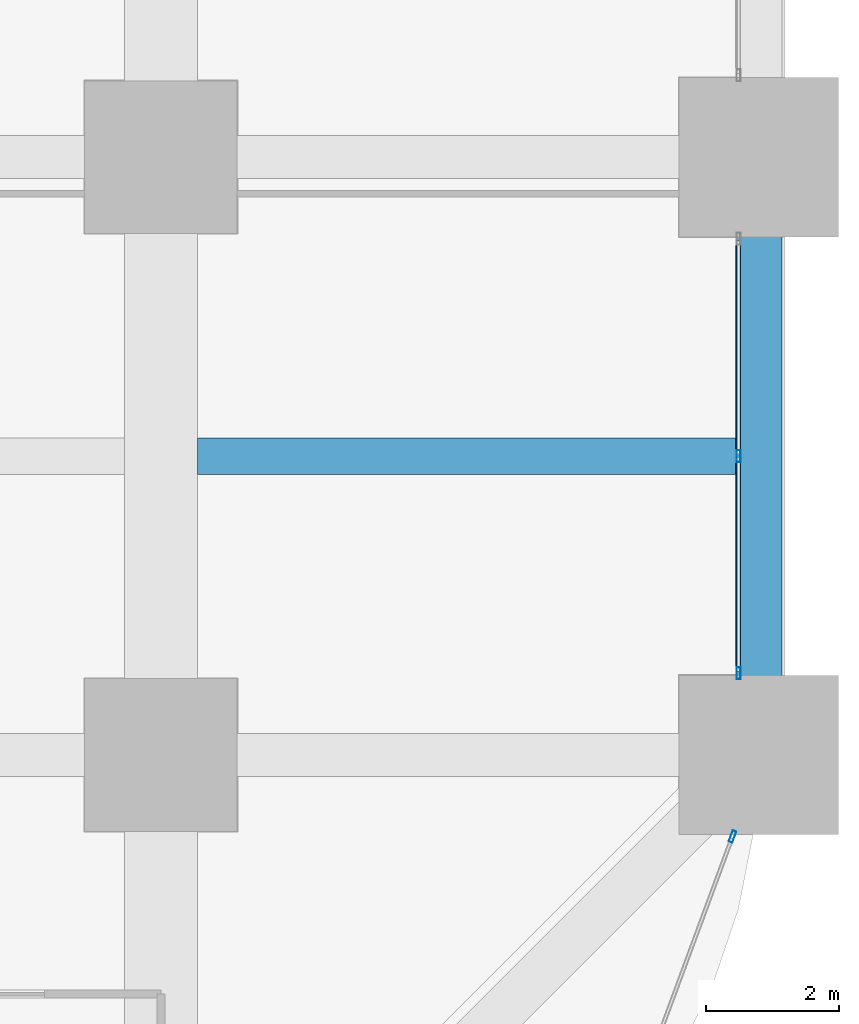
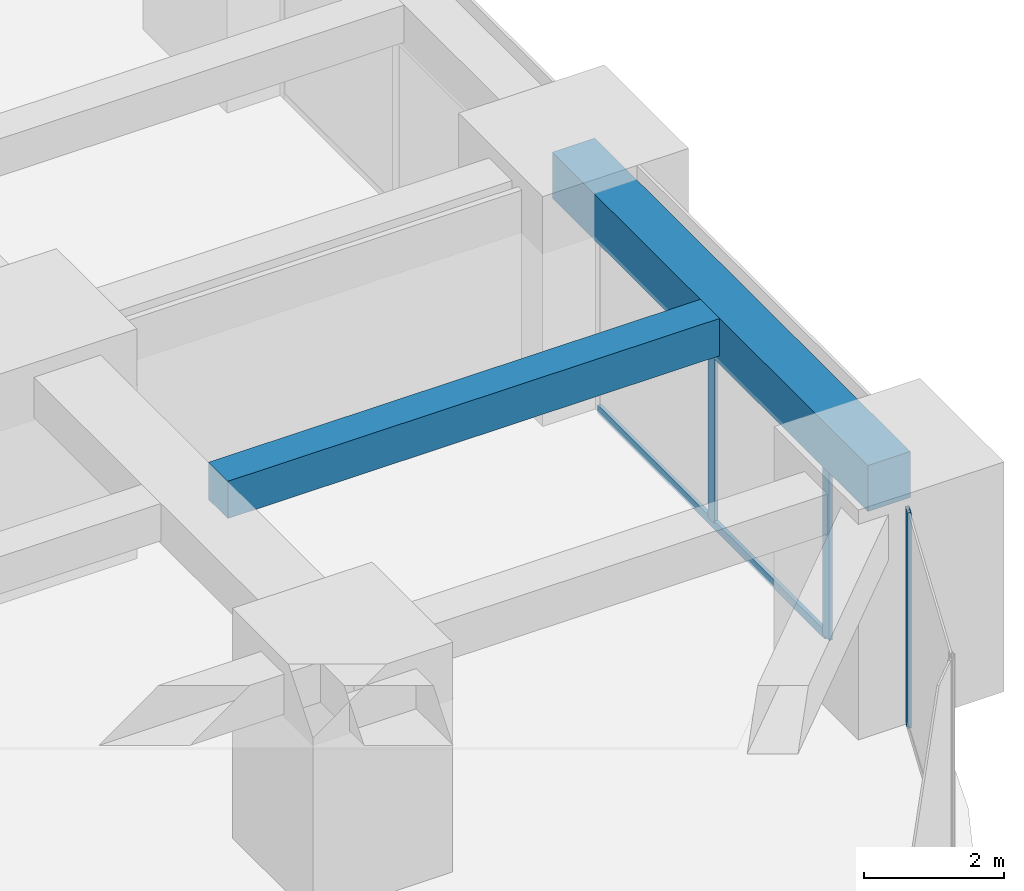
# One storey, part 18 of 45: 4 members, 2 beams, 2 elements without a shape of their own.
"""IFC4 building model written with IfcOpenShell, lengths in metres."""

from ifc_helpers import new_model, si_unit, direction, frame, origin, origin_2d, place, context, subcontext, project, spatial, rectangle, hollow_rectangle, extrude, material, material_profile, profile_set, type_object, element, aggregate, save


model = new_model("IFC4")

# Units and contexts
model_context = context("Model", 3, precision=1e-05, world=origin(), true_north=direction((0.0, 1.0)))
body_context = subcontext(model_context, "Body", "Model", "MODEL_VIEW")
ifc_project = project(units=[si_unit("LENGTHUNIT", "METRE"), si_unit("AREAUNIT", "SQUARE_METRE"), si_unit("VOLUMEUNIT", "CUBIC_METRE"), si_unit("PLANEANGLEUNIT", "RADIAN"), si_unit("MASSUNIT", "GRAM", prefix="KILO")], contexts=[model_context])

# Site, building, storey
site_placement = place(None, origin())
site = spatial("IfcSite", under=ifc_project, at=site_placement, CompositionType="ELEMENT")
building_placement = place(site_placement, origin())
building = spatial("IfcBuilding", under=site, at=building_placement, Name="Zorevar Civic Tower", CompositionType="ELEMENT")
storey_placement = place(building_placement, frame((0.0, 0.0, 47.800048828125)))
storey = spatial("IfcBuildingStorey", under=building, at=storey_placement, Name="L11", CompositionType="ELEMENT", Elevation=47.800048828125)

# Beam
ifc_material_1 = material(Name="Concrete C50/60", Category="concrete")
ifc_material_profile_1 = material_profile(ifc_material_1, rectangle(XDim=0.550048828125, YDim=0.64990234375, at=origin_2d()), Name="RC 550x650")
ifc_profile_set_1 = profile_set([ifc_material_profile_1], Name="Concrete C50/60")
beam_type_1 = type_object("IfcBeamType", Name="Beam RC 550x650", PredefinedType="BEAM", material=ifc_profile_set_1)
beam_1_placement = place(storey_placement, frame((54.550048828125, 13.5, 3.425048828125), z_axis=(1.0, 0.0, 0.0), x_axis=(0.0, 1.0, 0.0)))
element("IfcBeam", 1, at=beam_1_placement, inside=storey, type_object=beam_type_1, Name="Secondary beam L12", PredefinedType="BEAM", context=body_context, shape_type="SweptSolid", body=[
    extrude(rectangle(XDim=0.550048828125, YDim=0.64990234375, at=origin_2d()), origin(), (0.0, 0.0, 1.0), 8.099853515625),
])

# Curtain wall, members
ifc_material_2 = material(Name="Dark grey solar-control glass in black aluminium frame", Category="aluminium")
curtain_wall_type = type_object("IfcCurtainWallType", Name="Curtain wall CW2 low zone", PredefinedType="NOTDEFINED", material=ifc_material_2)
curtain_wall_1_placement = place(storey_placement, origin())
curtain_wall_1 = element("IfcCurtainWall", 2, at=curtain_wall_1_placement, inside=storey, type_object=curtain_wall_type, Name="CW2 L11", PredefinedType="NOTDEFINED")
ifc_material_3 = material(Name="Aluminium, black anodised", Category="aluminium")
ifc_material_profile_2 = material_profile(ifc_material_3, hollow_rectangle(XDim=0.06005859375, YDim=0.179931640625, WallThickness=0.00390625, at=origin_2d()), Name="AL 180x60x4")
ifc_profile_set_2 = profile_set([ifc_material_profile_2], Name="Aluminium, black anodised")
member_type_1 = type_object("IfcMemberType", Name="CW2 mullion AL 180x60x4", PredefinedType="MULLION", material=ifc_profile_set_2)
member_1_placement = place(storey_placement, frame((62.699951171875, 10.22998046875, 0.0), z_axis=(0.0, 0.0, 1.0), x_axis=(-1.0, 0.0, 0.0)))
member_1 = element("IfcMember", 3, at=member_1_placement, type_object=member_type_1, Name="CW2 mullion 1", PredefinedType="MULLION", context=body_context, shape_type="SweptSolid", body=[
    extrude(hollow_rectangle(XDim=0.06005859375, YDim=0.179931640625, WallThickness=0.00390625, at=origin_2d()), origin(), (0.0, 0.0, 1.0), 2.949951171875),
])
member_2_placement = place(storey_placement, frame((62.699951171875, 13.5, 0.06005859375), z_axis=(0.0, 0.0, 1.0), x_axis=(-1.0, 0.0, 0.0)))
member_2 = element("IfcMember", 4, at=member_2_placement, type_object=member_type_1, Name="CW2 mullion 2", PredefinedType="MULLION", context=body_context, shape_type="SweptSolid", body=[
    extrude(hollow_rectangle(XDim=0.06005859375, YDim=0.179931640625, WallThickness=0.00390625, at=origin_2d()), origin(), (0.0, 0.0, 1.0), 2.889892578125),
])

# Curtain wall, member
curtain_wall_2_placement = place(storey_placement, origin())
curtain_wall_2 = element("IfcCurtainWall", 5, at=curtain_wall_2_placement, inside=storey, type_object=curtain_wall_type, Name="CW2 L11", PredefinedType="NOTDEFINED")
member_3_placement = place(storey_placement, frame((62.6064453125, 7.77197265625, 0.0), z_axis=(0.0, 0.0, 1.0), x_axis=(-0.937974588163, 0.346704012033, 0.0)))
member_3 = element("IfcMember", 6, at=member_3_placement, type_object=member_type_1, Name="CW2 mullion 2", PredefinedType="MULLION", context=body_context, shape_type="SweptSolid", body=[
    extrude(hollow_rectangle(XDim=0.06005859375, YDim=0.179931640625, WallThickness=0.00390625, at=origin_2d()), origin(), (0.0, 0.0, 1.0), 3.75),
])
aggregate(curtain_wall_2, [member_3])

# Member
ifc_material_4 = material(Name="Aluminium, black anodised", Category="aluminium")
ifc_material_profile_3 = material_profile(ifc_material_4, hollow_rectangle(XDim=0.06005859375, YDim=0.14990234375, WallThickness=0.00390625, at=origin_2d()), Name="AL 150x60x4")
ifc_profile_set_3 = profile_set([ifc_material_profile_3], Name="Aluminium, black anodised")
member_type_2 = type_object("IfcMemberType", Name="CW2 transom AL 150x60x4", PredefinedType="USERDEFINED", material=ifc_profile_set_3)
member_4_placement = place(storey_placement, frame((62.699951171875, 10.260009765625, 0.030029296875), z_axis=(0.0, 1.0, 0.0), x_axis=(-1.0, 0.0, 0.0)))
member_4 = element("IfcMember", 7, at=member_4_placement, type_object=member_type_2, Name="CW2 sill transom", ObjectType="TRANSOM", PredefinedType="USERDEFINED", context=body_context, shape_type="SweptSolid", body=[
    extrude(hollow_rectangle(XDim=0.06005859375, YDim=0.14990234375, WallThickness=0.00390625, at=origin_2d()), origin(), (0.0, 0.0, 1.0), 6.47998046875),
])

aggregate(curtain_wall_1, [member_1, member_2, member_4])

# Beam
ifc_material_5 = material(Name="Concrete C50/60", Category="concrete")
ifc_material_profile_4 = material_profile(ifc_material_5, rectangle(XDim=0.699951171875, YDim=0.800048828125, at=origin_2d()), Name="RC 700x800")
ifc_profile_set_4 = profile_set([ifc_material_profile_4], Name="Concrete C50/60")
beam_type_2 = type_object("IfcBeamType", Name="Edge beam RC 700x800", PredefinedType="SPANDREL", material=ifc_profile_set_4)
beam_2_placement = place(storey_placement, frame((63.0, 9.0, 3.349853515625), z_axis=(0.0, 1.0, 0.0), x_axis=(-1.0, 0.0, 0.0)))
element("IfcBeam", 8, at=beam_2_placement, inside=storey, type_object=beam_type_2, Name="Edge beam L12", PredefinedType="SPANDREL", context=body_context, shape_type="SweptSolid", body=[
    extrude(rectangle(XDim=0.699951171875, YDim=0.800048828125, at=origin_2d()), origin(), (0.0, 0.0, 1.0), 9.0),
])

save(model, "model.ifc")
